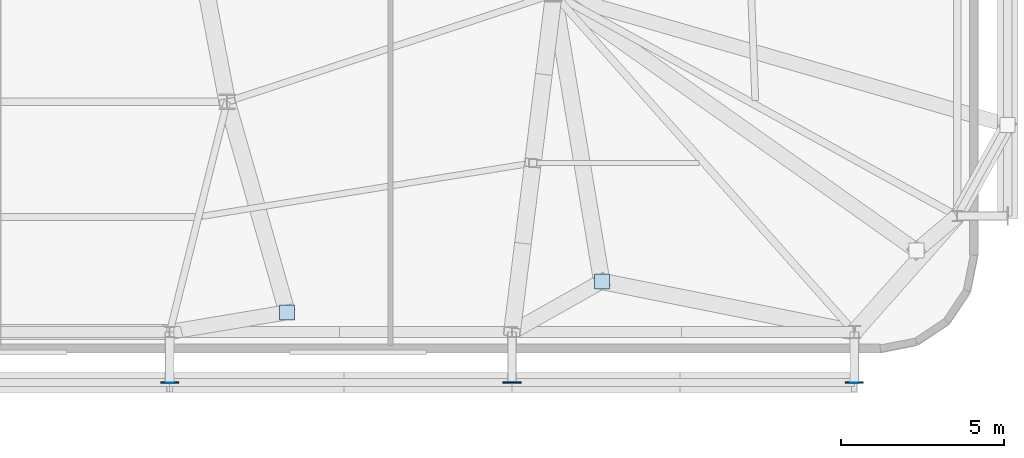
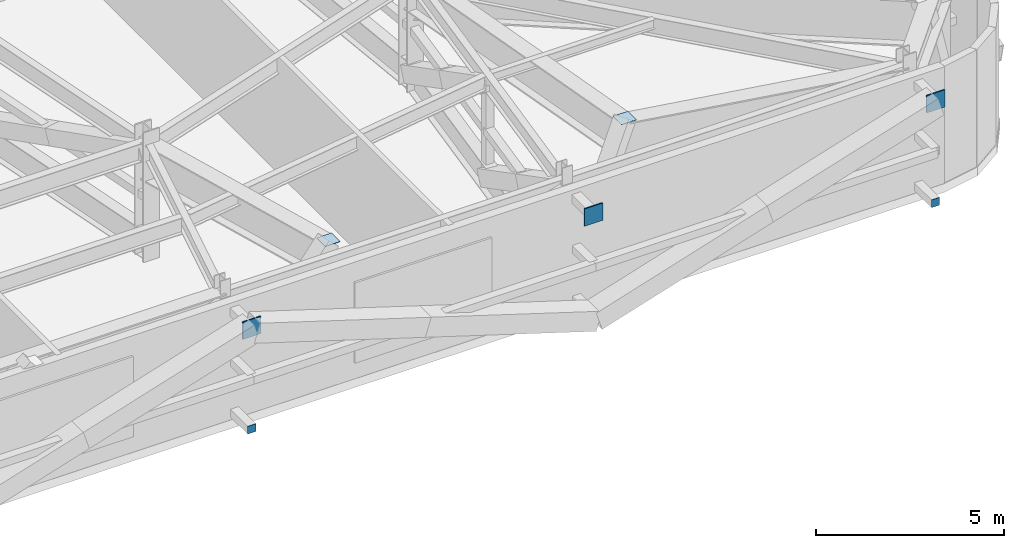
# One storey, part 16 of 24: 7 plates.
"""IFC4 building model written with IfcOpenShell, lengths in metres."""

from ifc_helpers import new_model, si_unit, direction, frame, origin, origin_2d, place, context, subcontext, project, spatial, rectangle, extrude, source, transform, mapped, material, layer, layer_set, type_object, element, save


model = new_model("IFC4")

# Units and contexts
model_context = context("Model", 3, precision=1e-05, world=origin(), true_north=direction((0.0, 1.0)))
body_context = subcontext(model_context, "Body", "Model", "MODEL_VIEW")
ifc_project = project(units=[si_unit("LENGTHUNIT", "METRE"), si_unit("AREAUNIT", "SQUARE_METRE"), si_unit("VOLUMEUNIT", "CUBIC_METRE"), si_unit("PLANEANGLEUNIT", "RADIAN"), si_unit("MASSUNIT", "GRAM", prefix="KILO")], contexts=[model_context])

# Site, building, storey
site_placement = place(None, origin())
site = spatial("IfcSite", under=ifc_project, at=site_placement, CompositionType="ELEMENT")
building_placement = place(site_placement, origin())
building = spatial("IfcBuilding", under=site, at=building_placement, Name="Taldren Reach Tower", CompositionType="ELEMENT")
storey_placement = place(building_placement, frame((0.0, 0.0, 60.89990234375)))
storey = spatial("IfcBuildingStorey", under=building, at=storey_placement, Name="L18", CompositionType="ELEMENT", Elevation=60.89990234375)

# Plates
ifc_material_1 = material(Name="Steel Gr 450 (C450L0)", Category="steel")
ifc_layer_1 = layer(ifc_material_1, 0.0400390625)
ifc_layer_set_1 = layer_set([ifc_layer_1], Name="Steel Gr 450 (C450L0)")
plate_type_1 = type_object("IfcPlateType", Name="PL-GUSSET-40", PredefinedType="SHEET", material=ifc_layer_set_1)
shared_shape_1 = source(origin(), body_context, "Body", "SweptSolid", [
    extrude(rectangle(XDim=0.56005859375, YDim=0.0400390625, at=origin_2d()), origin(), (0.0, 0.0, 1.0), 0.56005859375),
])
for number, where, z_axis, x_axis, name in (
    (1, (40.239990234375, 0.60009765625, 3.219970703125), (0.0, 0.0, 1.0), (1.0, 0.0, 0.0), "Exoskeleton star-node gusset plate B1-S4 L18"),
    (2, (50.719970703125, 0.60009765625, 3.219970703125), (0.0, 0.0, 1.0), (1.0, 0.0, 0.0), "Exoskeleton star-node gusset plate B1-S5 L18"),
    (3, (61.199951171875, 0.60009765625, 3.219970703125), (0.0, 0.0, 1.0), (1.0, 0.0, 0.0), "Exoskeleton star-node gusset plate B1-S6 L18"),
):
    element("IfcPlate", number, at=place(storey_placement, frame(where, z_axis=z_axis, x_axis=x_axis)), inside=storey, type_object=plate_type_1, Name=name, PredefinedType="SHEET", context=body_context, shape_type="MappedRepresentation", body=[
        mapped(shared_shape_1, transform((0.0, 0.0, 0.0), scale=1.0)),
    ])
ifc_material_2 = material(Name="Steel Gr 350 (C350L0)", Category="steel")
ifc_layer_2 = layer(ifc_material_2, 0.011962890625)
ifc_layer_set_2 = layer_set([ifc_layer_2], Name="Steel Gr 350 (C350L0)")
plate_type_2 = type_object("IfcPlateType", Name="PL-CAP-250", PredefinedType="SHEET", material=ifc_layer_set_2)
shared_shape_2 = source(origin(), body_context, "Body", "SweptSolid", [
    extrude(rectangle(XDim=0.25, YDim=0.011962890625, at=origin_2d()), origin(), (0.0, 0.0, 1.0), 0.25),
])
for number, where, z_axis, x_axis, name in (
    (4, (40.239990234375, 0.593994140625, 0.09521484375), (0.0, 0.0, 1.0), (1.0, 0.0, 0.0), "Tie strut end cap plate B1-S4 L18"),
    (5, (61.199951171875, 0.593994140625, 0.09521484375), (0.0, 0.0, 1.0), (1.0, 0.0, 0.0), "Tie strut end cap plate B1-S6 L18"),
):
    element("IfcPlate", number, at=place(storey_placement, frame(where, z_axis=z_axis, x_axis=x_axis)), inside=storey, type_object=plate_type_2, Name=name, PredefinedType="SHEET", context=body_context, shape_type="MappedRepresentation", body=[
        mapped(shared_shape_2, transform((0.0, 0.0, 0.0), scale=1.0)),
    ])
ifc_layer_3 = layer(ifc_material_1, 0.011962890625)
ifc_layer_set_3 = layer_set([ifc_layer_3], Name="Steel Gr 450 (C450L0)")
plate_type_3 = type_object("IfcPlateType", Name="PL-CAP-460", PredefinedType="SHEET", material=ifc_layer_set_3)
shared_shape_3 = source(origin(), body_context, "Body", "SweptSolid", [
    extrude(rectangle(XDim=0.4599609375, YDim=0.4599609375, at=origin_2d()), origin(), (0.0, 0.0, 1.0), 0.011962890625),
])
for number, where, z_axis, x_axis, name in (
    (6, (43.83544921875, 2.75390625, 3.76806640625), (0.0, 0.0, 1.0), (1.0, 0.0, 0.0), "Transfer strut end cap plate TS-B2-S4 L18"),
    (7, (53.469482421875, 3.698486328125, 3.76806640625), (0.0, 0.0, 1.0), (1.0, 0.0, 0.0), "Transfer strut end cap plate TS-B2-S5 L18"),
):
    element("IfcPlate", number, at=place(storey_placement, frame(where, z_axis=z_axis, x_axis=x_axis)), inside=storey, type_object=plate_type_3, Name=name, PredefinedType="SHEET", context=body_context, shape_type="MappedRepresentation", body=[
        mapped(shared_shape_3, transform((0.0, 0.0, 0.0), scale=1.0)),
    ])

save(model, "model.ifc")
